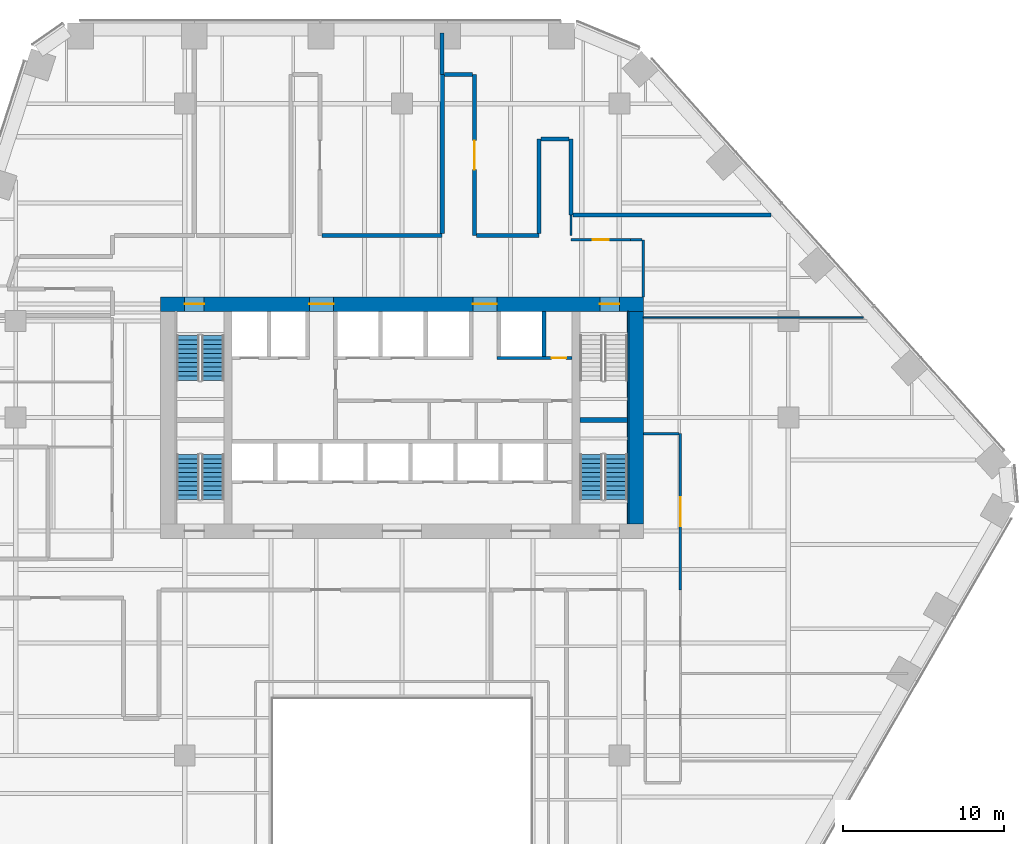
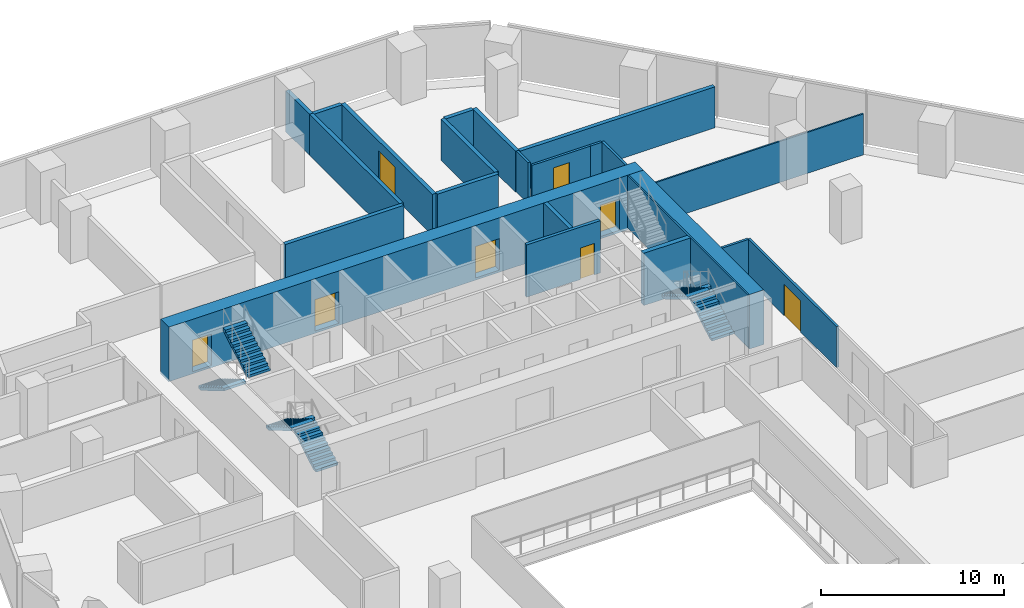
# One storey, part 16 of 21: 23 walls, 8 doors, 6 stair flights, 8 openings, 3 elements without a shape of their own.
"""IFC4 building model written with IfcOpenShell, lengths in metres."""

from ifc_helpers import new_model, si_unit, direction, frame, frame_2d, origin, place, context, subcontext, project, spatial, polyline, rectangle, outline, extrude, material, layer, layer_set, type_object, element, fill, aggregate, save


model = new_model("IFC4")

# Units and contexts
model_context = context("Model", 3, precision=1e-05, world=origin(), true_north=direction((0.0, 1.0)))
body_context = subcontext(model_context, "Body", "Model", "MODEL_VIEW")
ifc_project = project(units=[si_unit("LENGTHUNIT", "METRE"), si_unit("AREAUNIT", "SQUARE_METRE"), si_unit("VOLUMEUNIT", "CUBIC_METRE"), si_unit("PLANEANGLEUNIT", "RADIAN"), si_unit("MASSUNIT", "GRAM", prefix="KILO")], contexts=[model_context])

# Site, building, storey
site_placement = place(None, origin())
site = spatial("IfcSite", under=ifc_project, at=site_placement, CompositionType="ELEMENT")
building_placement = place(site_placement, origin())
building = spatial("IfcBuilding", under=site, at=building_placement, Name="Isthmus Gate Tower", CompositionType="ELEMENT")
storey_placement = place(building_placement, frame((0.0, 0.0, 106.199951171875)))
storey = spatial("IfcBuildingStorey", under=building, at=storey_placement, Name="L25", CompositionType="ELEMENT", Elevation=106.199951171875)

# Wall, opening, door
ifc_material_1 = material(Name="Double-leaf acoustic stud wall, fire-rated", Category="gypsum")
ifc_layer_1 = layer(ifc_material_1, 0.25)
ifc_layer_set_1 = layer_set([ifc_layer_1], Name="ACOUSTIC WALL 250 60 MIN")
wall_type_1 = type_object("IfcWallType", Name="ACOUSTIC WALL 250 60 MIN", PredefinedType="PARTITIONING", material=ifc_layer_set_1)
wall_1_placement = place(storey_placement, frame((4.5, 28.800048828125, 0.0), z_axis=(0.0, 0.0, 1.0), x_axis=(0.0, -1.0, 0.0)))
wall_1 = element("IfcWall", 1, at=wall_1_placement, inside=storey, type_object=wall_type_1, Name="L25 Acoustic Wall 250 60 Min", PredefinedType="PARTITIONING", context=body_context, shape_type="SweptSolid", body=[
    extrude(rectangle(XDim=10.0, YDim=0.25, at=frame_2d((5.0, 0.0))), origin(), (0.0, 0.0, 1.0), 2.7412109375),
])
opening_1_placement = place(wall_1_placement, frame((4.10009765625, 0.0, 0.0)))
opening_1 = element("IfcOpeningElement", 2, at=opening_1_placement, cuts=wall_1, Name="Opening DT-T2C-03", PredefinedType="OPENING", context=body_context, shape_type="SweptSolid", body=[
    extrude(rectangle(XDim=1.800048828125, YDim=2.10009765625, at=frame_2d((0.89990234375, 1.050048828125))), frame((0.0, 0.135009765625, 0.0), z_axis=(0.0, -1.0, 0.0), x_axis=(1.0, 0.0, 0.0)), (0.0, 0.0, 1.0), 0.27001953125),
])
ifc_material_2 = material(Name="Solid core timber door leaf, fire-rated", Category="wood")
door_type_1 = type_object("IfcDoorType", Name="FIRE DOOR ACOUSTIC ROOM 1800 X 2100 60 MIN", OperationType="DOUBLE_DOOR_DOUBLE_SWING", PredefinedType="DOOR", material=ifc_material_2)
door_1_placement = place(opening_1_placement, origin())
door_1 = element("IfcDoor", 3, at=door_1_placement, inside=storey, type_object=door_type_1, Name="L25 room door", OperationType="DOUBLE_DOOR_DOUBLE_SWING", OverallHeight=2.10009765625, OverallWidth=1.800048828125, PredefinedType="DOOR", context=body_context, shape_type="SweptSolid", body=[
    extrude(rectangle(XDim=1.800048828125, YDim=2.10009765625, at=frame_2d((0.89990234375, 1.050048828125))), frame((0.0, 0.02490234375, 0.0), z_axis=(0.0, -1.0, 0.0), x_axis=(1.0, 0.0, 0.0)), (0.0, 0.0, 1.0), 0.050048828125),
])
fill(opening_1, door_1)

# Walls
wall_2_placement = place(storey_placement, frame((10.5, 24.800048828125, 0.0), z_axis=(0.0, 0.0, 1.0), x_axis=(0.0, -1.0, 0.0)))
element("IfcWall", 4, at=wall_2_placement, inside=storey, type_object=wall_type_1, Name="L25 Acoustic Wall 250 60 Min", PredefinedType="PARTITIONING", context=body_context, shape_type="SweptSolid", body=[
    extrude(rectangle(XDim=4.7080078125, YDim=0.25, at=frame_2d((2.35400390625, 0.0))), origin(), (0.0, 0.0, 1.0), 2.7412109375),
])
wall_3_placement = place(storey_placement, frame((-4.97509765625, 18.800048828125, 0.0), z_axis=(0.0, 0.0, 1.0), x_axis=(1.0, 0.0, 0.0)))
element("IfcWall", 5, at=wall_3_placement, inside=storey, type_object=wall_type_1, Name="L25 Acoustic Wall 250 60 Min", PredefinedType="PARTITIONING", context=body_context, shape_type="SweptSolid", body=[
    extrude(rectangle(XDim=7.47509765625, YDim=0.25, at=frame_2d((3.737548828125, 0.0))), origin(), (0.0, 0.0, 1.0), 2.7412109375),
])
wall_4_placement = place(storey_placement, frame((2.5, 18.925048828125, 0.0), z_axis=(0.0, 0.0, 1.0), x_axis=(0.0, 1.0, 0.0)))
element("IfcWall", 6, at=wall_4_placement, inside=storey, type_object=wall_type_1, Name="L25 Acoustic Wall 250 60 Min", PredefinedType="PARTITIONING", context=body_context, shape_type="SweptSolid", body=[
    extrude(rectangle(XDim=9.875, YDim=0.25, at=frame_2d((4.9375, 0.0))), origin(), (0.0, 0.0, 1.0), 2.7412109375),
])
wall_5_placement = place(storey_placement, frame((2.498046875, 28.800048828125, 0.0), z_axis=(0.0, 0.0, 1.0), x_axis=(0.0, 1.0, 0.0)))
element("IfcWall", 7, at=wall_5_placement, inside=storey, type_object=wall_type_1, Name="L25 Acoustic Wall 250 60 Min", PredefinedType="PARTITIONING", context=body_context, shape_type="SweptSolid", body=[
    extrude(rectangle(XDim=2.599853515625, YDim=0.25, at=frame_2d((1.2998046875, 0.0))), origin(), (0.0, 0.0, 1.0), 2.7412109375),
])
wall_6_placement = place(storey_placement, frame((2.625, 28.800048828125, 0.0), z_axis=(0.0, 0.0, 1.0), x_axis=(1.0, 0.0, 0.0)))
element("IfcWall", 8, at=wall_6_placement, inside=storey, type_object=wall_type_1, Name="L25 Acoustic Wall 250 60 Min", PredefinedType="PARTITIONING", context=body_context, shape_type="SweptSolid", body=[
    extrude(rectangle(XDim=1.75, YDim=0.25, at=frame_2d((0.875, 0.0))), origin(), (0.0, 0.0, 1.0), 2.7412109375),
])
wall_7_placement = place(storey_placement, frame((4.625, 18.800048828125, 0.0), z_axis=(0.0, 0.0, 1.0), x_axis=(1.0, 0.0, 0.0)))
element("IfcWall", 9, at=wall_7_placement, inside=storey, type_object=wall_type_1, Name="L25 Acoustic Wall 250 60 Min", PredefinedType="PARTITIONING", context=body_context, shape_type="SweptSolid", body=[
    extrude(rectangle(XDim=3.875, YDim=0.25, at=frame_2d((1.9375, 0.0))), origin(), (0.0, 0.0, 1.0), 2.7412109375),
])
wall_8_placement = place(storey_placement, frame((8.5, 18.925048828125, 0.0), z_axis=(0.0, 0.0, 1.0), x_axis=(0.0, 1.0, 0.0)))
element("IfcWall", 10, at=wall_8_placement, inside=storey, type_object=wall_type_1, Name="L25 Acoustic Wall 250 60 Min", PredefinedType="PARTITIONING", context=body_context, shape_type="SweptSolid", body=[
    extrude(rectangle(XDim=5.875, YDim=0.25, at=frame_2d((2.9375, 0.0))), origin(), (0.0, 0.0, 1.0), 2.7412109375),
])
wall_9_placement = place(storey_placement, frame((8.625, 24.800048828125, 0.0), z_axis=(0.0, 0.0, 1.0), x_axis=(1.0, 0.0, 0.0)))
element("IfcWall", 11, at=wall_9_placement, inside=storey, type_object=wall_type_1, Name="L25 Acoustic Wall 250 60 Min", PredefinedType="PARTITIONING", context=body_context, shape_type="SweptSolid", body=[
    extrude(rectangle(XDim=1.75, YDim=0.25, at=frame_2d((0.875, 0.0))), origin(), (0.0, 0.0, 1.0), 2.7412109375),
])
wall_10_placement = place(storey_placement, frame((10.625, 20.092041015625, 0.0), z_axis=(0.0, 0.0, 1.0), x_axis=(1.0, 0.0, 0.0)))
element("IfcWall", 12, at=wall_10_placement, inside=storey, type_object=wall_type_1, Name="L25 Acoustic Wall 250 60 Min", PredefinedType="PARTITIONING", context=body_context, shape_type="SweptSolid", body=[
    extrude(rectangle(XDim=12.2958984375, YDim=0.25, at=frame_2d((6.14794921875, 0.0))), origin(), (0.0, 0.0, 1.0), 2.7412109375),
])
ifc_material_3 = material(Name="Gypsum board on steel studs, fire-rated", Category="steel")
ifc_layer_2 = layer(ifc_material_3, 0.14990234375)
ifc_layer_set_2 = layer_set([ifc_layer_2], Name="CORRIDOR WALL 150 60 MIN")
wall_type_2 = type_object("IfcWallType", Name="CORRIDOR WALL 150 60 MIN", PredefinedType="PARTITIONING", material=ifc_layer_set_2)
wall_11_placement = place(storey_placement, frame((10.5, 20.092041015625, 0.0), z_axis=(0.0, 0.0, 1.0), x_axis=(0.0, -1.0, 0.0)))
element("IfcWall", 13, at=wall_11_placement, inside=storey, type_object=wall_type_2, Name="L25 Corridor Wall 150 60 Min", PredefinedType="PARTITIONING", context=body_context, shape_type="SweptSolid", body=[
    extrude(rectangle(XDim=1.2900390625, YDim=0.14990234375, at=frame_2d((0.64501953125, 0.0))), origin(), (0.0, 0.0, 1.0), 2.7412109375),
])
wall_12_placement = place(storey_placement, frame((15.0, 18.5419921875, 0.0), z_axis=(0.0, 0.0, 1.0), x_axis=(0.0, -1.0, 0.0)))
element("IfcWall", 14, at=wall_12_placement, inside=storey, type_object=wall_type_2, Name="L25 Corridor Wall 150 60 Min", PredefinedType="PARTITIONING", context=body_context, shape_type="SweptSolid", body=[
    extrude(rectangle(XDim=3.5419921875, YDim=0.14990234375, at=frame_2d((1.77099609375, 0.0))), origin(), (0.0, 0.0, 1.0), 2.7412109375),
])

# Wall, opening, door
wall_13_placement = place(storey_placement, frame((17.298095703125, 6.5, 0.0), z_axis=(0.0, 0.0, 1.0), x_axis=(0.0, -1.0, 0.0)))
wall_13 = element("IfcWall", 15, at=wall_13_placement, inside=storey, type_object=wall_type_2, Name="L25 Corridor Wall 150 60 Min", PredefinedType="PARTITIONING", context=body_context, shape_type="SweptSolid", body=[
    extrude(rectangle(XDim=9.701904296875, YDim=0.14990234375, at=frame_2d((4.85107421875, 0.0))), origin(), (0.0, 0.0, 1.0), 2.7412109375),
])
opening_2_placement = place(wall_13_placement, frame((3.950927734375, 0.0, 0.0)))
opening_2 = element("IfcOpeningElement", 16, at=opening_2_placement, cuts=wall_13, Name="Opening DT-T2C-08", PredefinedType="OPENING", context=body_context, shape_type="SweptSolid", body=[
    extrude(rectangle(XDim=1.800048828125, YDim=2.10009765625, at=frame_2d((0.89990234375, 1.050048828125))), frame((0.0, 0.0849609375, 0.0), z_axis=(0.0, -1.0, 0.0), x_axis=(1.0, 0.0, 0.0)), (0.0, 0.0, 1.0), 0.169921875),
])
ifc_material_4 = material(Name="Solid core timber door leaf, fire-rated", Category="wood")
door_type_2 = type_object("IfcDoorType", Name="FIRE DOOR ROOM 1800 X 2100 60 MIN", OperationType="DOUBLE_DOOR_DOUBLE_SWING", PredefinedType="DOOR", material=ifc_material_4)
door_2_placement = place(opening_2_placement, origin())
door_2 = element("IfcDoor", 17, at=door_2_placement, inside=storey, type_object=door_type_2, Name="L25 room door", OperationType="DOUBLE_DOOR_DOUBLE_SWING", OverallHeight=2.10009765625, OverallWidth=1.800048828125, PredefinedType="DOOR", context=body_context, shape_type="SweptSolid", body=[
    extrude(rectangle(XDim=1.800048828125, YDim=2.10009765625, at=frame_2d((0.89990234375, 1.050048828125))), frame((0.0, 0.02490234375, 0.0), z_axis=(0.0, -1.0, 0.0), x_axis=(1.0, 0.0, 0.0)), (0.0, 0.0, 1.0), 0.050048828125),
])
fill(opening_2, door_2)

wall_14_placement = place(storey_placement, frame((10.498046875, 18.5400390625, 0.0), z_axis=(0.0, 0.0, 1.0), x_axis=(1.0, 0.0, 0.0)))
wall_14 = element("IfcWall", 18, at=wall_14_placement, inside=storey, type_object=wall_type_2, Name="L25 Corridor Wall 150 60 Min", PredefinedType="PARTITIONING", context=body_context, shape_type="SweptSolid", body=[
    extrude(rectangle(XDim=3.701904296875, YDim=0.14990234375, at=frame_2d((1.85107421875, 0.0))), origin(), (0.0, 0.0, 1.0), 2.7412109375),
])
opening_3_placement = place(wall_14_placement, frame((1.35107421875, 0.0, 0.0)))
opening_3 = element("IfcOpeningElement", 19, at=opening_3_placement, cuts=wall_14, Name="Opening DT-T2C-04", PredefinedType="OPENING", context=body_context, shape_type="SweptSolid", body=[
    extrude(rectangle(XDim=1.0, YDim=2.10009765625, at=frame_2d((0.5, 1.050048828125))), frame((0.0, 0.0849609375, 0.0), z_axis=(0.0, -1.0, 0.0), x_axis=(1.0, 0.0, 0.0)), (0.0, 0.0, 1.0), 0.169921875),
])
ifc_material_5 = material(Name="Solid core timber door leaf, fire-rated", Category="wood")
door_type_3 = type_object("IfcDoorType", Name="FIRE DOOR ROOM 1000 X 2100 60 MIN", OperationType="SINGLE_SWING_LEFT", PredefinedType="DOOR", material=ifc_material_5)
door_3_placement = place(opening_3_placement, origin())
door_3 = element("IfcDoor", 20, at=door_3_placement, inside=storey, type_object=door_type_3, Name="L25 room door", OperationType="SINGLE_SWING_RIGHT", OverallHeight=2.10009765625, OverallWidth=1.0, PredefinedType="DOOR", context=body_context, shape_type="SweptSolid", body=[
    extrude(rectangle(XDim=1.0, YDim=2.10009765625, at=frame_2d((0.5, 1.050048828125))), frame((0.0, 0.02490234375, 0.0), z_axis=(0.0, -1.0, 0.0), x_axis=(1.0, 0.0, 0.0)), (0.0, 0.0, 1.0), 0.050048828125),
])
fill(opening_3, door_3)

# Walls
wall_15_placement = place(storey_placement, frame((14.199951171875, 18.5439453125, 0.0), z_axis=(0.0, 0.0, 1.0), x_axis=(0.999997222517, -0.002356895811, 0.0)))
element("IfcWall", 21, at=wall_15_placement, inside=storey, type_object=wall_type_2, Name="L25 Corridor Wall 150 60 Min", PredefinedType="PARTITIONING", context=body_context, shape_type="SweptSolid", body=[
    extrude(rectangle(XDim=0.72509765625, YDim=0.14990234375, at=frame_2d((0.362548828125, 0.0))), origin(), (0.0, 0.0, 1.0), 2.7412109375),
])
wall_16_placement = place(storey_placement, frame((15.0, 6.5, 0.0), z_axis=(0.0, 0.0, 1.0), x_axis=(1.0, 0.0, 0.0)))
element("IfcWall", 22, at=wall_16_placement, inside=storey, type_object=wall_type_2, Name="L25 Corridor Wall 150 60 Min", PredefinedType="PARTITIONING", context=body_context, shape_type="SweptSolid", body=[
    extrude(rectangle(XDim=2.222900390625, YDim=0.14990234375, at=frame_2d((1.111328125, 0.0))), origin(), (0.0, 0.0, 1.0), 2.7412109375),
])

# Wall, openings, doors
ifc_material_6 = material(Name="Concrete f'c 70 MPa", Category="concrete")
ifc_layer_3 = layer(ifc_material_6, 0.89990234375)
ifc_layer_set_3 = layer_set([ifc_layer_3], Name="RC CORE WALL 900 F'C 70")
wall_type_3 = type_object("IfcWallType", Name="RC CORE WALL 900 F'C 70", PredefinedType="SOLIDWALL", material=ifc_layer_set_3)
wall_17_placement = place(storey_placement, frame((-15.0, 14.550048828125, -0.14990234375), z_axis=(0.0, 0.0, 1.0), x_axis=(1.0, 0.0, 0.0)))
wall_17 = element("IfcWall", 23, at=wall_17_placement, inside=storey, type_object=wall_type_3, Name="str-corewall-L25-N", PredefinedType="SOLIDWALL", context=body_context, shape_type="SweptSolid", body=[
    extrude(rectangle(XDim=30.0, YDim=0.89990234375, at=frame_2d((15.0, 0.0))), origin(), (0.0, 0.0, 1.0), 3.64990234375),
])
opening_4_placement = place(wall_17_placement, frame((9.25, 0.0, 0.14990234375)))
opening_4 = element("IfcOpeningElement", 24, at=opening_4_placement, cuts=wall_17, Name="Opening DC-A02-11", PredefinedType="OPENING", context=body_context, shape_type="SweptSolid", body=[
    extrude(rectangle(XDim=1.5, YDim=2.10009765625, at=frame_2d((0.75, 1.050048828125))), frame((0.0, 0.4599609375, 0.0), z_axis=(0.0, -1.0, 0.0), x_axis=(1.0, 0.0, 0.0)), (0.0, 0.0, 1.0), 0.919921875),
])
opening_5_placement = place(wall_17_placement, frame((19.39990234375, 0.0, 0.14990234375)))
opening_5 = element("IfcOpeningElement", 25, at=opening_5_placement, cuts=wall_17, Name="Opening DC-A02-12", PredefinedType="OPENING", context=body_context, shape_type="SweptSolid", body=[
    extrude(rectangle(XDim=1.5, YDim=2.10009765625, at=frame_2d((0.75, 1.050048828125))), frame((0.0, 0.4599609375, 0.0), z_axis=(0.0, -1.0, 0.0), x_axis=(1.0, 0.0, 0.0)), (0.0, 0.0, 1.0), 0.919921875),
])
opening_6_placement = place(wall_17_placement, frame((1.5, 0.0, 0.14990234375)))
opening_6 = element("IfcOpeningElement", 26, at=opening_6_placement, cuts=wall_17, Name="Opening DC-A02-13", PredefinedType="OPENING", context=body_context, shape_type="SweptSolid", body=[
    extrude(rectangle(XDim=1.199951171875, YDim=2.10009765625, at=frame_2d((0.60009765625, 1.050048828125))), frame((0.0, 0.4599609375, 0.0), z_axis=(0.0, -1.0, 0.0), x_axis=(1.0, 0.0, 0.0)), (0.0, 0.0, 1.0), 0.919921875),
])
opening_7_placement = place(wall_17_placement, frame((27.300048828125, 0.0, 0.14990234375)))
opening_7 = element("IfcOpeningElement", 27, at=opening_7_placement, cuts=wall_17, Name="Opening DC-A02-14", PredefinedType="OPENING", context=body_context, shape_type="SweptSolid", body=[
    extrude(rectangle(XDim=1.199951171875, YDim=2.10009765625, at=frame_2d((0.60009765625, 1.050048828125))), frame((0.0, 0.4599609375, 0.0), z_axis=(0.0, -1.0, 0.0), x_axis=(1.0, 0.0, 0.0)), (0.0, 0.0, 1.0), 0.919921875),
])
ifc_material_7 = material(Name="Steel door leaf, fire-rated", Category="steel")
door_type_4 = type_object("IfcDoorType", Name="LOBBY FIRE DOOR 1500 X 2100 60 MIN", OperationType="DOUBLE_DOOR_SINGLE_SWING", PredefinedType="DOOR", material=ifc_material_7)
door_4_placement = place(opening_5_placement, origin())
door_4 = element("IfcDoor", 28, at=door_4_placement, inside=storey, type_object=door_type_4, Name="Lobby Door PN-E", OperationType="DOUBLE_DOOR_SINGLE_SWING", OverallHeight=2.10009765625, OverallWidth=1.5, PredefinedType="DOOR", context=body_context, shape_type="SweptSolid", body=[
    extrude(rectangle(XDim=1.5, YDim=2.10009765625, at=frame_2d((0.75, 1.050048828125))), frame((0.0, 0.02490234375, 0.0), z_axis=(0.0, -1.0, 0.0), x_axis=(1.0, 0.0, 0.0)), (0.0, 0.0, 1.0), 0.050048828125),
])
fill(opening_5, door_4)
ifc_material_8 = material(Name="Steel door leaf, fire-rated", Category="steel")
door_type_5 = type_object("IfcDoorType", Name="LOBBY FIRE DOOR 1500 X 2100 90 MIN", OperationType="DOUBLE_DOOR_SINGLE_SWING", PredefinedType="DOOR", material=ifc_material_8)
door_5_placement = place(opening_4_placement, origin())
door_5 = element("IfcDoor", 29, at=door_5_placement, inside=storey, type_object=door_type_5, Name="Lobby Door PN-W", OperationType="DOUBLE_DOOR_SINGLE_SWING", OverallHeight=2.10009765625, OverallWidth=1.5, PredefinedType="DOOR", context=body_context, shape_type="SweptSolid", body=[
    extrude(rectangle(XDim=1.5, YDim=2.10009765625, at=frame_2d((0.75, 1.050048828125))), frame((0.0, 0.02490234375, 0.0), z_axis=(0.0, -1.0, 0.0), x_axis=(1.0, 0.0, 0.0)), (0.0, 0.0, 1.0), 0.050048828125),
])
fill(opening_4, door_5)
ifc_material_9 = material(Name="Steel door leaf, fire-rated", Category="steel")
door_type_6 = type_object("IfcDoorType", Name="STAIR FIRE DOOR 1200 X 2100 90 MIN", OperationType="SINGLE_SWING_LEFT", PredefinedType="DOOR", material=ifc_material_9)
door_6_placement = place(opening_6_placement, origin())
door_6 = element("IfcDoor", 30, at=door_6_placement, inside=storey, type_object=door_type_6, Name="Exit Stair 1 Door", OperationType="SINGLE_SWING_RIGHT", OverallHeight=2.10009765625, OverallWidth=1.199951171875, PredefinedType="DOOR", context=body_context, shape_type="SweptSolid", body=[
    extrude(rectangle(XDim=1.199951171875, YDim=2.10009765625, at=frame_2d((0.60009765625, 1.050048828125))), frame((0.0, 0.02490234375, 0.0), z_axis=(0.0, -1.0, 0.0), x_axis=(1.0, 0.0, 0.0)), (0.0, 0.0, 1.0), 0.050048828125),
])
fill(opening_6, door_6)
door_7_placement = place(opening_7_placement, origin())
door_7 = element("IfcDoor", 31, at=door_7_placement, inside=storey, type_object=door_type_6, Name="Exit Stair 2 Door", OperationType="SINGLE_SWING_LEFT", OverallHeight=2.10009765625, OverallWidth=1.199951171875, PredefinedType="DOOR", context=body_context, shape_type="SweptSolid", body=[
    extrude(rectangle(XDim=1.199951171875, YDim=2.10009765625, at=frame_2d((0.60009765625, 1.050048828125))), frame((0.0, 0.02490234375, 0.0), z_axis=(0.0, -1.0, 0.0), x_axis=(1.0, 0.0, 0.0)), (0.0, 0.0, 1.0), 0.050048828125),
])
fill(opening_7, door_7)

# Walls
wall_18_placement = place(storey_placement, frame((14.550048828125, 0.89990234375, -0.14990234375), z_axis=(0.0, 0.0, 1.0), x_axis=(0.0, 1.0, 0.0)))
element("IfcWall", 32, at=wall_18_placement, inside=storey, type_object=wall_type_3, Name="str-corewall-L25-E", PredefinedType="SOLIDWALL", context=body_context, shape_type="SweptSolid", body=[
    extrude(rectangle(XDim=13.2001953125, YDim=0.89990234375, at=frame_2d((6.60009765625, 0.0))), origin(), (0.0, 0.0, 1.0), 3.64990234375),
])
ifc_material_10 = material(Name="Gypsum board on steel studs, fire-rated", Category="steel")
ifc_layer_4 = layer(ifc_material_10, 0.10009765625)
ifc_layer_set_4 = layer_set([ifc_layer_4], Name="ROOM PARTITION 100 30 MIN")
wall_type_4 = type_object("IfcWallType", Name="ROOM PARTITION 100 30 MIN", PredefinedType="PARTITIONING", material=ifc_layer_set_4)
wall_19_placement = place(storey_placement, frame((15.0, 13.708984375, 0.0), z_axis=(0.0, 0.0, 1.0), x_axis=(1.0, 0.0, 0.0)))
element("IfcWall", 33, at=wall_19_placement, inside=storey, type_object=wall_type_4, Name="L25 Room Partition 100 30 Min", PredefinedType="PARTITIONING", context=body_context, shape_type="SweptSolid", body=[
    extrude(rectangle(XDim=13.66796875, YDim=0.10009765625, at=frame_2d((6.833984375, 0.0))), origin(), (0.0, 0.0, 1.0), 2.7412109375),
])

# Wall, opening, door
ifc_material_11 = material(Name="Fire-rated blockwork masonry, 15 MPa", Category="masonry")
ifc_layer_5 = layer(ifc_material_11, 0.199951171875)
ifc_layer_set_5 = layer_set([ifc_layer_5], Name="SHAFT FRONT WALL 200 120 MIN")
wall_type_5 = type_object("IfcWallType", Name="SHAFT FRONT WALL 200 120 MIN", PredefinedType="PARTITIONING", material=ifc_layer_set_5)
wall_20_placement = place(storey_placement, frame((5.89990234375, 11.199951171875, 0.0), z_axis=(0.0, 0.0, 1.0), x_axis=(1.0, 0.0, 0.0)))
wall_20 = element("IfcWall", 34, at=wall_20_placement, inside=storey, type_object=wall_type_5, Name="L25 SHAFT FRONT WALL 200 120 MIN", PredefinedType="PARTITIONING", context=body_context, shape_type="SweptSolid", body=[
    extrude(rectangle(XDim=4.650146484375, YDim=0.199951171875, at=frame_2d((2.3251953125, 0.0))), origin(), (0.0, 0.0, 1.0), 3.5),
])
opening_8_placement = place(wall_20_placement, frame((3.39990234375, 0.0, 0.0)))
opening_8 = element("IfcOpeningElement", 35, at=opening_8_placement, cuts=wall_20, Name="Opening DC-A02-07", PredefinedType="OPENING", context=body_context, shape_type="SweptSolid", body=[
    extrude(rectangle(XDim=0.89990234375, YDim=2.10009765625, at=frame_2d((0.449951171875, 1.050048828125))), frame((0.0, 0.10986328125, 0.0), z_axis=(0.0, -1.0, 0.0), x_axis=(1.0, 0.0, 0.0)), (0.0, 0.0, 1.0), 0.219970703125),
])
ifc_material_12 = material(Name="Steel door leaf, fire-rated", Category="steel")
door_type_7 = type_object("IfcDoorType", Name="RISER FIRE DOOR 900 X 2100 90 MIN", OperationType="SINGLE_SWING_LEFT", PredefinedType="DOOR", material=ifc_material_12)
door_8_placement = place(opening_8_placement, origin())
door_8 = element("IfcDoor", 36, at=door_8_placement, inside=storey, type_object=door_type_7, Name="Riser Door", OperationType="SINGLE_SWING_LEFT", OverallHeight=2.10009765625, OverallWidth=0.89990234375, PredefinedType="DOOR", context=body_context, shape_type="SweptSolid", body=[
    extrude(rectangle(XDim=0.89990234375, YDim=2.10009765625, at=frame_2d((0.449951171875, 1.050048828125))), frame((0.0, 0.02490234375, 0.0), z_axis=(0.0, -1.0, 0.0), x_axis=(1.0, 0.0, 0.0)), (0.0, 0.0, 1.0), 0.050048828125),
])
fill(opening_8, door_8)

# Walls
ifc_material_13 = material(Name="Fire-rated blockwork masonry, 15 MPa", Category="masonry")
ifc_layer_6 = layer(ifc_material_13, 0.25)
ifc_layer_set_6 = layer_set([ifc_layer_6], Name="SHAFT WALL 250 120 MIN")
wall_type_6 = type_object("IfcWallType", Name="SHAFT WALL 250 120 MIN", PredefinedType="PARTITIONING", material=ifc_layer_set_6)
wall_21_placement = place(storey_placement, frame((8.824951171875, 11.300048828125, 0.0), z_axis=(0.0, 0.0, 1.0), x_axis=(0.0, 1.0, 0.0)))
element("IfcWall", 37, at=wall_21_placement, inside=storey, type_object=wall_type_6, Name="L25 SHAFT WALL 250 120 MIN", PredefinedType="PARTITIONING", context=body_context, shape_type="SweptSolid", body=[
    extrude(rectangle(XDim=2.800048828125, YDim=0.25, at=frame_2d((1.39990234375, 0.0))), origin(), (0.0, 0.0, 1.0), 3.5),
])
ifc_material_14 = material(Name="Concrete f'c 40 MPa", Category="concrete")
ifc_layer_7 = layer(ifc_material_14, 0.10009765625)
ifc_layer_set_7 = layer_set([ifc_layer_7], Name="STAIR ENCLOSURE WALL 100 180 MIN")
wall_type_7 = type_object("IfcWallType", Name="STAIR ENCLOSURE WALL 100 180 MIN", PredefinedType="SOLIDWALL", material=ifc_layer_set_7)
wall_22_placement = place(storey_placement, frame((14.050048828125, 0.89990234375, 0.0), z_axis=(0.0, 0.0, 1.0), x_axis=(0.0, 1.0, 0.0)))
element("IfcWall", 38, at=wall_22_placement, inside=storey, type_object=wall_type_7, Name="L25 STAIR ENCLOSURE WALL 100 180 MIN", PredefinedType="SOLIDWALL", context=body_context, shape_type="SweptSolid", body=[
    extrude(rectangle(XDim=13.2001953125, YDim=0.10009765625, at=frame_2d((6.60009765625, 0.0))), origin(), (0.0, 0.0, 1.0), 3.5),
])
ifc_material_15 = material(Name="Concrete f'c 40 MPa", Category="concrete")
ifc_layer_8 = layer(ifc_material_15, 0.300048828125)
ifc_layer_set_8 = layer_set([ifc_layer_8], Name="STAIR ENCLOSURE WALL 300 180 MIN")
wall_type_8 = type_object("IfcWallType", Name="STAIR ENCLOSURE WALL 300 180 MIN", PredefinedType="SOLIDWALL", material=ifc_layer_set_8)
wall_23_placement = place(storey_placement, frame((11.050048828125, 7.35009765625, 0.0), z_axis=(0.0, 0.0, 1.0), x_axis=(1.0, 0.0, 0.0)))
element("IfcWall", 39, at=wall_23_placement, inside=storey, type_object=wall_type_8, Name="L25 STAIR ENCLOSURE WALL 300 180 MIN", PredefinedType="SOLIDWALL", context=body_context, shape_type="SweptSolid", body=[
    extrude(rectangle(XDim=2.949951171875, YDim=0.300048828125, at=frame_2d((1.47509765625, 0.0))), origin(), (0.0, 0.0, 1.0), 3.5),
])

# Stair, stair flights
ifc_material_16 = material(Name="Concrete f'c 40 MPa", Category="concrete")
stair_type = type_object("IfcStairType", Name="CORE STAIR 22 RISERS", PredefinedType="HALF_TURN_STAIR", material=ifc_material_16)
stair_1_placement = place(storey_placement, origin())
stair_1 = element("IfcStair", 40, at=stair_1_placement, inside=storey, type_object=stair_type, Name="L25 Exit Stair 1", PredefinedType="HALF_TURN_STAIR")
ifc_material_17 = material(Name="Concrete f'c 40 MPa", Category="concrete")
stair_flight_type = type_object("IfcStairFlightType", Name="STAIR FLIGHT RC 1400", PredefinedType="STRAIGHT", material=ifc_material_17)
stair_flight_1_placement = place(storey_placement, frame((-13.300048828125, 12.60009765625, 0.0), z_axis=(0.0, 0.0, 1.0), x_axis=(0.0, -1.0, 0.0)))
stair_flight_1 = element("IfcStairFlight", 41, at=stair_flight_1_placement, type_object=stair_flight_type, Name="ST1 flight 1", NumberOfRisers=11, NumberOfTreads=10, PredefinedType="STRAIGHT", RiserHeight=0.165909091, TreadLength=0.28, context=body_context, shape_type="SweptSolid", body=[
    extrude(outline(polyline([(0.0, 0.0), (0.0, 0.166015625), (0.280029296875, 0.166015625), (0.280029296875, 0.331787109375), (0.56005859375, 0.331787109375), (0.56005859375, 0.497802734375), (0.840087890625, 0.497802734375), (0.840087890625, 0.66357421875), (1.1201171875, 0.66357421875), (1.1201171875, 0.82958984375), (1.39990234375, 0.82958984375), (1.39990234375, 0.995361328125), (1.679931640625, 0.995361328125), (1.679931640625, 1.161376953125), (1.9599609375, 1.161376953125), (1.9599609375, 1.327392578125), (2.239990234375, 1.327392578125), (2.239990234375, 1.4931640625), (2.52001953125, 1.4931640625), (2.52001953125, 1.6591796875), (2.800048828125, 1.6591796875), (2.800048828125, 1.824951171875), (2.800048828125, 1.48486328125), (0.2939453125, 0.0), (0.0, 0.0)])), frame((0.0, 0.699951171875, 0.0), z_axis=(0.0, -1.0, 0.0), x_axis=(1.0, 0.0, 0.0)), (0.0, 0.0, 1.0), 1.39990234375),
])
stair_flight_2_placement = place(storey_placement, frame((-11.75, 9.800048828125, 1.824951171875), z_axis=(0.0, 0.0, 1.0), x_axis=(0.0, 1.0, 0.0)))
stair_flight_2 = element("IfcStairFlight", 42, at=stair_flight_2_placement, type_object=stair_flight_type, Name="ST1 flight 2", NumberOfRisers=11, NumberOfTreads=10, PredefinedType="STRAIGHT", RiserHeight=0.165909091, TreadLength=0.28, context=body_context, shape_type="SweptSolid", body=[
    extrude(outline(polyline([(0.0, 0.0), (0.0, 0.166015625), (0.280029296875, 0.166015625), (0.280029296875, 0.331787109375), (0.56005859375, 0.331787109375), (0.56005859375, 0.497802734375), (0.840087890625, 0.497802734375), (0.840087890625, 0.66357421875), (1.1201171875, 0.66357421875), (1.1201171875, 0.82958984375), (1.39990234375, 0.82958984375), (1.39990234375, 0.995361328125), (1.679931640625, 0.995361328125), (1.679931640625, 1.161376953125), (1.9599609375, 1.161376953125), (1.9599609375, 1.327392578125), (2.239990234375, 1.327392578125), (2.239990234375, 1.4931640625), (2.52001953125, 1.4931640625), (2.52001953125, 1.6591796875), (2.800048828125, 1.6591796875), (2.800048828125, 1.824951171875), (2.800048828125, 1.48486328125), (0.2939453125, 0.0), (0.0, 0.0)])), frame((0.0, 0.699951171875, 0.0), z_axis=(0.0, -1.0, 0.0), x_axis=(1.0, 0.0, 0.0)), (0.0, 0.0, 1.0), 1.39990234375),
])
aggregate(stair_1, [stair_flight_1, stair_flight_2])

stair_2_placement = place(storey_placement, origin())
stair_2 = element("IfcStair", 43, at=stair_2_placement, inside=storey, type_object=stair_type, Name="L25 Exit Stair 7", PredefinedType="HALF_TURN_STAIR")
stair_flight_3_placement = place(storey_placement, frame((-11.75, 2.39990234375, 0.0), z_axis=(0.0, 0.0, 1.0), x_axis=(0.0, 1.0, 0.0)))
stair_flight_3 = element("IfcStairFlight", 44, at=stair_flight_3_placement, type_object=stair_flight_type, Name="ST7 flight 1", NumberOfRisers=11, NumberOfTreads=10, PredefinedType="STRAIGHT", RiserHeight=0.165909091, TreadLength=0.28, context=body_context, shape_type="SweptSolid", body=[
    extrude(outline(polyline([(0.0, 0.0), (0.0, 0.166015625), (0.280029296875, 0.166015625), (0.280029296875, 0.331787109375), (0.56005859375, 0.331787109375), (0.56005859375, 0.497802734375), (0.840087890625, 0.497802734375), (0.840087890625, 0.66357421875), (1.1201171875, 0.66357421875), (1.1201171875, 0.82958984375), (1.39990234375, 0.82958984375), (1.39990234375, 0.995361328125), (1.679931640625, 0.995361328125), (1.679931640625, 1.161376953125), (1.9599609375, 1.161376953125), (1.9599609375, 1.327392578125), (2.239990234375, 1.327392578125), (2.239990234375, 1.4931640625), (2.52001953125, 1.4931640625), (2.52001953125, 1.6591796875), (2.800048828125, 1.6591796875), (2.800048828125, 1.824951171875), (2.800048828125, 1.48486328125), (0.2939453125, 0.0), (0.0, 0.0)])), frame((0.0, 0.699951171875, 0.0), z_axis=(0.0, -1.0, 0.0), x_axis=(1.0, 0.0, 0.0)), (0.0, 0.0, 1.0), 1.39990234375),
])
stair_flight_4_placement = place(storey_placement, frame((-13.300048828125, 5.199951171875, 1.824951171875), z_axis=(0.0, 0.0, 1.0), x_axis=(0.0, -1.0, 0.0)))
stair_flight_4 = element("IfcStairFlight", 45, at=stair_flight_4_placement, type_object=stair_flight_type, Name="ST7 flight 2", NumberOfRisers=11, NumberOfTreads=10, PredefinedType="STRAIGHT", RiserHeight=0.165909091, TreadLength=0.28, context=body_context, shape_type="SweptSolid", body=[
    extrude(outline(polyline([(0.0, 0.0), (0.0, 0.166015625), (0.280029296875, 0.166015625), (0.280029296875, 0.331787109375), (0.56005859375, 0.331787109375), (0.56005859375, 0.497802734375), (0.840087890625, 0.497802734375), (0.840087890625, 0.66357421875), (1.1201171875, 0.66357421875), (1.1201171875, 0.82958984375), (1.39990234375, 0.82958984375), (1.39990234375, 0.995361328125), (1.679931640625, 0.995361328125), (1.679931640625, 1.161376953125), (1.9599609375, 1.161376953125), (1.9599609375, 1.327392578125), (2.239990234375, 1.327392578125), (2.239990234375, 1.4931640625), (2.52001953125, 1.4931640625), (2.52001953125, 1.6591796875), (2.800048828125, 1.6591796875), (2.800048828125, 1.824951171875), (2.800048828125, 1.48486328125), (0.2939453125, 0.0), (0.0, 0.0)])), frame((0.0, 0.699951171875, 0.0), z_axis=(0.0, -1.0, 0.0), x_axis=(1.0, 0.0, 0.0)), (0.0, 0.0, 1.0), 1.39990234375),
])
aggregate(stair_2, [stair_flight_3, stair_flight_4])

stair_3_placement = place(storey_placement, origin())
stair_3 = element("IfcStair", 46, at=stair_3_placement, inside=storey, type_object=stair_type, Name="L25 Exit Stair 8", PredefinedType="HALF_TURN_STAIR")
stair_flight_5_placement = place(storey_placement, frame((13.300048828125, 2.39990234375, 0.0), z_axis=(0.0, 0.0, 1.0), x_axis=(0.0, 1.0, 0.0)))
stair_flight_5 = element("IfcStairFlight", 47, at=stair_flight_5_placement, type_object=stair_flight_type, Name="ST8 flight 1", NumberOfRisers=11, NumberOfTreads=10, PredefinedType="STRAIGHT", RiserHeight=0.165909091, TreadLength=0.28, context=body_context, shape_type="SweptSolid", body=[
    extrude(outline(polyline([(0.0, 0.0), (0.0, 0.166015625), (0.280029296875, 0.166015625), (0.280029296875, 0.331787109375), (0.56005859375, 0.331787109375), (0.56005859375, 0.497802734375), (0.840087890625, 0.497802734375), (0.840087890625, 0.66357421875), (1.1201171875, 0.66357421875), (1.1201171875, 0.82958984375), (1.39990234375, 0.82958984375), (1.39990234375, 0.995361328125), (1.679931640625, 0.995361328125), (1.679931640625, 1.161376953125), (1.9599609375, 1.161376953125), (1.9599609375, 1.327392578125), (2.239990234375, 1.327392578125), (2.239990234375, 1.4931640625), (2.52001953125, 1.4931640625), (2.52001953125, 1.6591796875), (2.800048828125, 1.6591796875), (2.800048828125, 1.824951171875), (2.800048828125, 1.48486328125), (0.2939453125, 0.0), (0.0, 0.0)])), frame((0.0, 0.699951171875, 0.0), z_axis=(0.0, -1.0, 0.0), x_axis=(1.0, 0.0, 0.0)), (0.0, 0.0, 1.0), 1.39990234375),
])
stair_flight_6_placement = place(storey_placement, frame((11.75, 5.199951171875, 1.824951171875), z_axis=(0.0, 0.0, 1.0), x_axis=(0.0, -1.0, 0.0)))
stair_flight_6 = element("IfcStairFlight", 48, at=stair_flight_6_placement, type_object=stair_flight_type, Name="ST8 flight 2", NumberOfRisers=11, NumberOfTreads=10, PredefinedType="STRAIGHT", RiserHeight=0.165909091, TreadLength=0.28, context=body_context, shape_type="SweptSolid", body=[
    extrude(outline(polyline([(0.0, 0.0), (0.0, 0.166015625), (0.280029296875, 0.166015625), (0.280029296875, 0.331787109375), (0.56005859375, 0.331787109375), (0.56005859375, 0.497802734375), (0.840087890625, 0.497802734375), (0.840087890625, 0.66357421875), (1.1201171875, 0.66357421875), (1.1201171875, 0.82958984375), (1.39990234375, 0.82958984375), (1.39990234375, 0.995361328125), (1.679931640625, 0.995361328125), (1.679931640625, 1.161376953125), (1.9599609375, 1.161376953125), (1.9599609375, 1.327392578125), (2.239990234375, 1.327392578125), (2.239990234375, 1.4931640625), (2.52001953125, 1.4931640625), (2.52001953125, 1.6591796875), (2.800048828125, 1.6591796875), (2.800048828125, 1.824951171875), (2.800048828125, 1.48486328125), (0.2939453125, 0.0), (0.0, 0.0)])), frame((0.0, 0.699951171875, 0.0), z_axis=(0.0, -1.0, 0.0), x_axis=(1.0, 0.0, 0.0)), (0.0, 0.0, 1.0), 1.39990234375),
])
aggregate(stair_3, [stair_flight_5, stair_flight_6])

save(model, "model.ifc")
